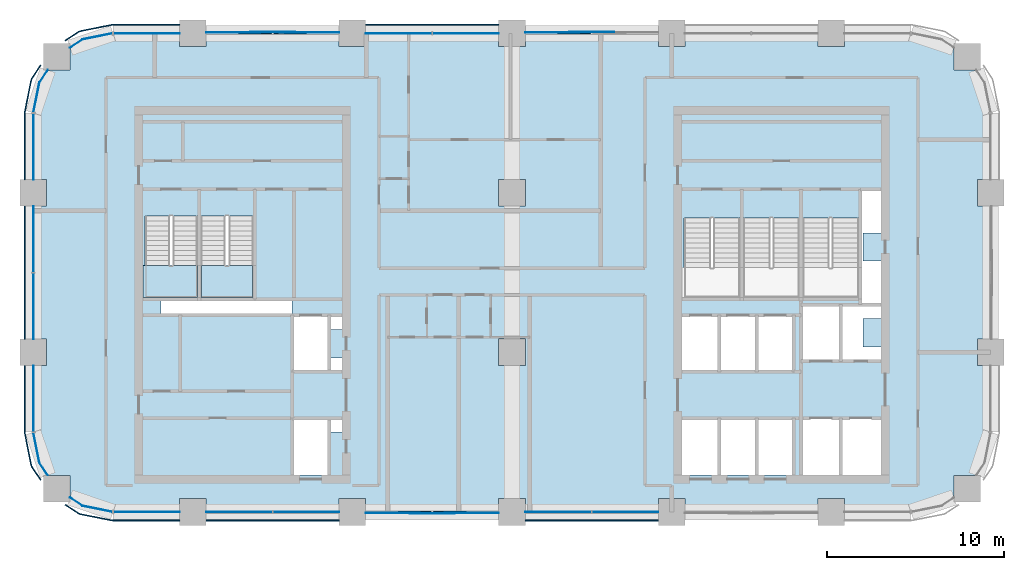
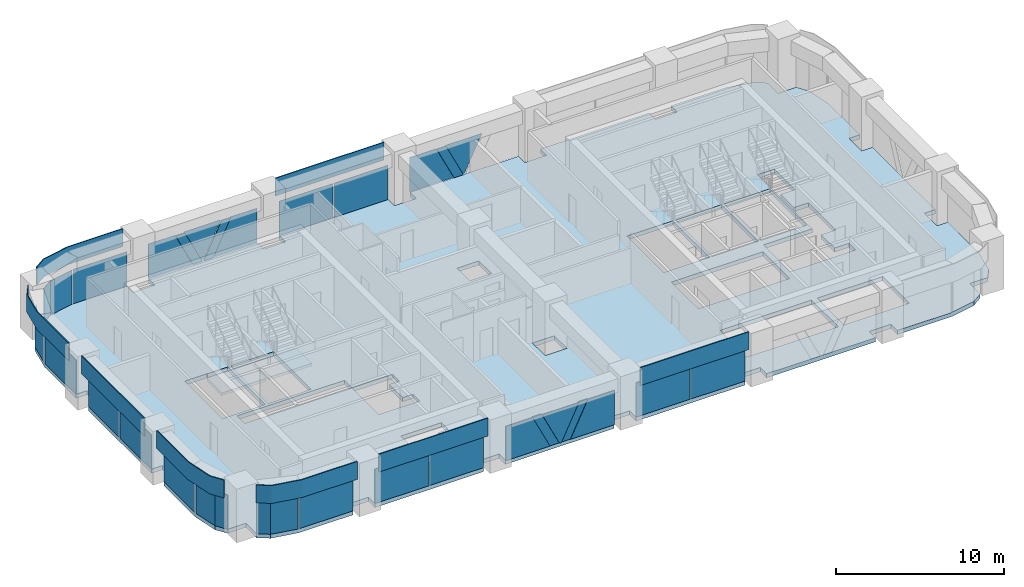
# One storey, part 7 of 14: 37 plates, 3 slabs, 13 elements without a shape of their own.
"""IFC4 building model written with IfcOpenShell, lengths in metres."""

import ifcopenshell
import ifcopenshell.guid

model = None  # the IFC model being written
_history = None  # IfcOwnerHistory: only IFC2X3 demands one
_inside = {}  # id of a spatial element -> (the spatial element, [elements in it])
_under = {}  # id of a project, library or spatial element -> (it, [spatial elements below it])
_declared = {}  # id of a project -> (the project, [libraries it declares])
_typed = {}  # id of a type object -> (the type object, [elements of that type])
_made_of = {}  # id of a material, layer set ... -> (it, [elements and type objects made of it])


def new_model(schema):
    """Start an empty IFC model of exactly this schema.

    Asked for "IFC4X3", IfcOpenShell would pick the latest addendum, in which some entities
    have other attributes; the version numbers below select the first issue.
    IFC2X3 requires an IfcOwnerHistory on every rooted entity: one is made here for all.
    """
    global model, _history
    if schema == "IFC4X3":
        model = ifcopenshell.file(schema_version=(4, 3, 0, 0))
    else:
        model = ifcopenshell.file(schema=schema)
    _inside.clear()
    _under.clear()
    _declared.clear()
    _typed.clear()
    _made_of.clear()
    _history = None
    if model.schema == "IFC2X3":
        org = make("IfcOrganization", Name="unknown")
        user = make(
            "IfcPersonAndOrganization",
            ThePerson=make("IfcPerson", FamilyName="unknown"),
            TheOrganization=org,
        )
        app = make(
            "IfcApplication",
            ApplicationDeveloper=org,
            Version="unknown",
            ApplicationFullName="unknown",
            ApplicationIdentifier="unknown",
        )
        _history = make(
            "IfcOwnerHistory",
            OwningUser=user,
            OwningApplication=app,
            ChangeAction="ADDED",
            CreationDate=0,
        )
    return model


def make(cls, **values):
    """One entity of the class cls with the attributes given. An attribute that is None is left unset."""
    return model.create_entity(
        cls, **{name: value for name, value in values.items() if value is not None}
    )


def rooted(cls, **values):
    """An entity with a GlobalId (a new one), such as an element, a storey or a relation."""
    return make(cls, GlobalId=ifcopenshell.guid.new(), OwnerHistory=_history, **values)


def si_unit(unit_type, name, prefix=None):
    """IfcSIUnit, for example si_unit("LENGTHUNIT", "METRE", prefix="MILLI")."""
    return make("IfcSIUnit", UnitType=unit_type, Prefix=prefix, Name=name)


def assignment(units):
    """IfcUnitAssignment: the units of a project."""
    return None if units is None else make("IfcUnitAssignment", Units=units)


def point(xyz):
    """IfcCartesianPoint."""
    return None if xyz is None else make("IfcCartesianPoint", Coordinates=xyz)


def direction(xyz):
    """IfcDirection."""
    return None if xyz is None else make("IfcDirection", DirectionRatios=xyz)


def frame(location, z_axis=None, x_axis=None):
    """IfcAxis2Placement3D, a coordinate frame: its origin and axes. An axis left out is left unset."""
    return make(
        "IfcAxis2Placement3D",
        Location=point(location),
        Axis=direction(z_axis),
        RefDirection=direction(x_axis),
    )


def frame_2d(location, x_axis=None):
    """IfcAxis2Placement2D, a coordinate frame in the plane: its origin and x axis."""
    return make(
        "IfcAxis2Placement2D", Location=point(location), RefDirection=direction(x_axis)
    )


def origin():
    """The frame at (0, 0, 0) with its axes left unset."""
    return frame((0.0, 0.0, 0.0))


def origin_2d():
    """The frame at (0, 0) in the plane with its x axis left unset."""
    return frame_2d((0.0, 0.0))


def place(relative_to, where):
    """IfcLocalPlacement: puts the frame where relative to a parent placement (None: the world)."""
    return make(
        "IfcLocalPlacement", PlacementRelTo=relative_to, RelativePlacement=where
    )


def context(
    kind, dimensions, precision=None, world=None, true_north=None, identifier=None
):
    """IfcGeometricRepresentationContext, for example the 3D "Model" context."""
    return make(
        "IfcGeometricRepresentationContext",
        ContextIdentifier=identifier,
        ContextType=kind,
        CoordinateSpaceDimension=dimensions,
        Precision=precision,
        WorldCoordinateSystem=world,
        TrueNorth=true_north,
    )


def subcontext(parent, identifier, kind, view, scale=None):
    """IfcGeometricRepresentationSubContext, for example "Body" below "Model"."""
    return make(
        "IfcGeometricRepresentationSubContext",
        ContextIdentifier=identifier,
        ContextType=kind,
        ParentContext=parent,
        TargetScale=scale,
        TargetView=view,
    )


def project(units=None, contexts=None):
    """IfcProject with its units and contexts."""
    return rooted(
        "IfcProject",
        Name="project",
        RepresentationContexts=contexts,
        UnitsInContext=assignment(units),
    )


def spatial(cls, under=None, at=None, **own):
    """A site, building, storey or space (cls), placed at a placement, below another one or the project."""
    s = rooted(cls, ObjectPlacement=at, **own)
    if under is not None:
        _under.setdefault(under.id(), (under, []))[1].append(s)
    return s


def polyline(points):
    """IfcPolyline through the points."""
    return make("IfcPolyline", Points=[point(p) for p in points])


def profile(cls, at=None, kind="AREA", **sizes):
    """A parametric profile (cls). Its sizes go by their IFC names, for example OverallWidth=200.0."""
    return make(cls, ProfileType=kind, Position=at, **sizes)


def rectangle(**sizes):
    """IfcRectangleProfileDef."""
    return profile("IfcRectangleProfileDef", **sizes)


def outline(outer, holes=None, kind="AREA"):
    """IfcArbitraryClosedProfileDef: a profile drawn as a closed curve; with holes, ...WithVoids."""
    if holes is None:
        return make("IfcArbitraryClosedProfileDef", ProfileType=kind, OuterCurve=outer)
    return make(
        "IfcArbitraryProfileDefWithVoids",
        ProfileType=kind,
        OuterCurve=outer,
        InnerCurves=holes,
    )


def extrude(swept, where, along, depth):
    """IfcExtrudedAreaSolid: the profile swept, set in the frame where, extruded along a direction by depth."""
    return make(
        "IfcExtrudedAreaSolid",
        SweptArea=swept,
        Position=where,
        ExtrudedDirection=direction(along),
        Depth=depth,
    )


def shape(context_of_items, identifier, shape_type, items):
    """IfcShapeRepresentation: the items that make up one representation, for example the "Body"."""
    return make(
        "IfcShapeRepresentation",
        ContextOfItems=context_of_items,
        RepresentationIdentifier=identifier,
        RepresentationType=shape_type,
        Items=items,
    )


def material(Name=None, Category=None):
    """IfcMaterial."""
    return make("IfcMaterial", Name=Name, Category=Category)


def layer(
    of_material, thickness, ventilated=None, Name=None, Category=None, Priority=None
):
    """IfcMaterialLayer: one layer of a wall or slab, of a material (None: an air gap)."""
    return make(
        "IfcMaterialLayer",
        Material=of_material,
        LayerThickness=thickness,
        IsVentilated=ventilated,
        Name=Name,
        Category=Category,
        Priority=Priority,
    )


def layer_set(layers, Name=None):
    """IfcMaterialLayerSet."""
    return make("IfcMaterialLayerSet", MaterialLayers=layers, LayerSetName=Name)


def made_of(thing, what):
    """Note that an element or type object is made of a material, layer set ...; save() writes the relation."""
    if what is not None:
        _made_of.setdefault(what.id(), (what, []))[1].append(thing)
    return thing


def type_object(cls, material=None, **own):
    """A type object (cls), such as IfcWallType, which elements share."""
    return made_of(rooted(cls, **own), material)


def element(
    cls,
    number,
    at=None,
    inside=None,
    cuts=None,
    type_object=None,
    material=None,
    context=None,
    identifier="Body",
    shape_type=None,
    held_by="IfcProductDefinitionShape",
    body=None,
    shapes=None,
    **own,
):
    """One element of the class cls, such as IfcWall. Its Tag is "e" and its number.

    at: its placement. inside: the storey or other place that contains it. cuts: it is an
    opening in that element (IfcRelVoidsElement). A single representation is given by context,
    identifier, shape_type and body (its items); several are given by shapes. held_by: the class
    of the entity that holds the representations. save() writes the other relations.
    """
    e = rooted(cls, Tag="e%d" % number, ObjectPlacement=at, **own)
    if body is not None:
        shapes = [shape(context, identifier, shape_type, body)]
    if shapes is not None:
        e.Representation = make(held_by, Representations=shapes)
    if inside is not None:
        _inside.setdefault(inside.id(), (inside, []))[1].append(e)
    if cuts is not None:
        rooted(
            "IfcRelVoidsElement", RelatingBuildingElement=cuts, RelatedOpeningElement=e
        )
    if type_object is not None:
        _typed.setdefault(type_object.id(), (type_object, []))[1].append(e)
    return made_of(e, material)


def aggregate(whole, parts):
    """IfcRelAggregates: a whole, such as a stair, and the parts it consists of."""
    return rooted("IfcRelAggregates", RelatingObject=whole, RelatedObjects=parts)


def save(model, path):
    """Write the relations noted so far, then the file.

    IfcRelAggregates (storeys below a building ...), IfcRelContainedInSpatialStructure (elements
    in a storey), IfcRelDefinesByType, IfcRelAssociatesMaterial and IfcRelDeclares: one each for
    every whole, place, type object, material and project.
    """
    for whole, parts in _under.values():
        aggregate(whole, parts)
    for where, things in _inside.values():
        rooted(
            "IfcRelContainedInSpatialStructure",
            RelatedElements=things,
            RelatingStructure=where,
        )
    for kind, things in _typed.values():
        rooted("IfcRelDefinesByType", RelatedObjects=things, RelatingType=kind)
    for what, things in _made_of.values():
        rooted("IfcRelAssociatesMaterial", RelatedObjects=things, RelatingMaterial=what)
    for by, libraries in _declared.values():
        rooted("IfcRelDeclares", RelatingContext=by, RelatedDefinitions=libraries)
    model.write(path)


model = new_model("IFC4")

# Units and contexts
model_context = context("Model", 3, precision=1e-05, world=origin(), true_north=direction((0.0, 1.0)))
body_context = subcontext(model_context, "Body", "Model", "MODEL_VIEW")
ifc_project = project(units=[si_unit("LENGTHUNIT", "METRE"), si_unit("AREAUNIT", "SQUARE_METRE"), si_unit("VOLUMEUNIT", "CUBIC_METRE"), si_unit("PLANEANGLEUNIT", "RADIAN"), si_unit("MASSUNIT", "GRAM", prefix="KILO")], contexts=[model_context])

# Site, building, storey
site_placement = place(None, origin())
site = spatial("IfcSite", under=ifc_project, at=site_placement, CompositionType="ELEMENT")
building_placement = place(site_placement, origin())
building = spatial("IfcBuilding", under=site, at=building_placement, Name="Tessera Arch", CompositionType="ELEMENT")
storey_placement = place(building_placement, frame((0.0, 0.0, 173.89990234375)))
storey = spatial("IfcBuildingStorey", under=building, at=storey_placement, Name="L41", CompositionType="ELEMENT", Elevation=173.89990234375)

# Curtain wall, plates
ifc_material_1 = material(Name="CW1 curtain wall")
curtain_wall_type_1 = type_object("IfcCurtainWallType", Name="CW1 curtain wall", PredefinedType="NOTDEFINED", material=ifc_material_1)
curtain_wall_1_placement = place(storey_placement, origin())
curtain_wall_1 = element("IfcCurtainWall", 1, at=curtain_wall_1_placement, inside=storey, type_object=curtain_wall_type_1, Name="CW1 curtain wall N54.0/3 L41", PredefinedType="NOTDEFINED")
ifc_material_2 = material(Name="Clear low-e glass", Category="glass")
ifc_material_3 = material(Name="Clear low-e glass", Category="glass")
ifc_layer_1 = layer(ifc_material_3, 0.028076171875)
ifc_layer_set_1 = layer_set([ifc_layer_1], Name="CW1 glass panel")
plate_type_1 = type_object("IfcPlateType", Name="CW1 glass panel", PredefinedType="CURTAIN_PANEL", material=ifc_layer_set_1)
plate_1_placement = place(storey_placement, frame((24.389892578125, 54.0, 0.0), z_axis=(0.0, 0.0, 1.0), x_axis=(-1.0, 0.0, 0.0)))
plate_1 = element("IfcPlate", 2, at=plate_1_placement, type_object=plate_type_1, material=ifc_material_2, Name="CW1 glass panel N54.0/3 1.1.1", PredefinedType="CURTAIN_PANEL", context=body_context, shape_type="SweptSolid", body=[
    extrude(rectangle(XDim=3.719970703125, YDim=0.028076171875, at=origin_2d()), origin(), (0.0, 0.0, 1.0), 2.5),
])
plate_2_placement = place(storey_placement, frame((20.610107421875, 54.0, 0.0), z_axis=(0.0, 0.0, 1.0), x_axis=(-1.0, 0.0, 0.0)))
plate_2 = element("IfcPlate", 3, at=plate_2_placement, type_object=plate_type_1, material=ifc_material_2, Name="CW1 glass panel N54.0/3 1.2.1", PredefinedType="CURTAIN_PANEL", context=body_context, shape_type="SweptSolid", body=[
    extrude(rectangle(XDim=3.719970703125, YDim=0.028076171875, at=origin_2d()), origin(), (0.0, 0.0, 1.0), 2.5),
])

curtain_wall_2_placement = place(storey_placement, origin())
curtain_wall_2 = element("IfcCurtainWall", 4, at=curtain_wall_2_placement, inside=storey, type_object=curtain_wall_type_1, Name="CW1 curtain wall W0.27/1 L41", PredefinedType="NOTDEFINED")
plate_3_placement = place(storey_placement, frame((0.0, 42.389892578125, 0.0), z_axis=(0.0, 0.0, 1.0), x_axis=(0.0, -1.0, 0.0)))
plate_3 = element("IfcPlate", 5, at=plate_3_placement, type_object=plate_type_1, material=ifc_material_2, Name="CW1 glass panel W0.27/1 1.1.1", PredefinedType="CURTAIN_PANEL", context=body_context, shape_type="SweptSolid", body=[
    extrude(rectangle(XDim=3.719970703125, YDim=0.028076171875, at=origin_2d()), origin(), (0.0, 0.0, 1.0), 2.5),
])
plate_4_placement = place(storey_placement, frame((0.0, 38.610107421875, 0.0), z_axis=(0.0, 0.0, 1.0), x_axis=(0.0, -1.0, 0.0)))
plate_4 = element("IfcPlate", 6, at=plate_4_placement, type_object=plate_type_1, material=ifc_material_2, Name="CW1 glass panel W0.27/1 1.2.1", PredefinedType="CURTAIN_PANEL", context=body_context, shape_type="SweptSolid", body=[
    extrude(rectangle(XDim=3.719970703125, YDim=0.028076171875, at=origin_2d()), origin(), (0.0, 0.0, 1.0), 2.5),
])

curtain_wall_3_placement = place(storey_placement, origin())
curtain_wall_3 = element("IfcCurtainWall", 7, at=curtain_wall_3_placement, inside=storey, type_object=curtain_wall_type_1, Name="CW1 curtain wall S27.0/1 L41", PredefinedType="NOTDEFINED")
plate_5_placement = place(storey_placement, frame((11.610107421875, 27.0, 0.0), z_axis=(0.0, 0.0, 1.0), x_axis=(1.0, 0.0, 0.0)))
plate_5 = element("IfcPlate", 8, at=plate_5_placement, type_object=plate_type_1, material=ifc_material_2, Name="CW1 glass panel S27.0/1 1.1.1", PredefinedType="CURTAIN_PANEL", context=body_context, shape_type="SweptSolid", body=[
    extrude(rectangle(XDim=3.719970703125, YDim=0.028076171875, at=origin_2d()), origin(), (0.0, 0.0, 1.0), 2.5),
])
plate_6_placement = place(storey_placement, frame((15.389892578125, 27.0, 0.0), z_axis=(0.0, 0.0, 1.0), x_axis=(1.0, 0.0, 0.0)))
plate_6 = element("IfcPlate", 9, at=plate_6_placement, type_object=plate_type_1, material=ifc_material_2, Name="CW1 glass panel S27.0/1 1.2.1", PredefinedType="CURTAIN_PANEL", context=body_context, shape_type="SweptSolid", body=[
    extrude(rectangle(XDim=3.719970703125, YDim=0.028076171875, at=origin_2d()), origin(), (0.0, 0.0, 1.0), 2.5),
])

curtain_wall_4_placement = place(storey_placement, origin())
curtain_wall_4 = element("IfcCurtainWall", 10, at=curtain_wall_4_placement, inside=storey, type_object=curtain_wall_type_1, Name="CW1 curtain wall S27.0/3 L41", PredefinedType="NOTDEFINED")
plate_7_placement = place(storey_placement, frame((29.610107421875, 27.0, 0.0), z_axis=(0.0, 0.0, 1.0), x_axis=(1.0, 0.0, 0.0)))
plate_7 = element("IfcPlate", 11, at=plate_7_placement, type_object=plate_type_1, material=ifc_material_2, Name="CW1 glass panel S27.0/3 1.1.1", PredefinedType="CURTAIN_PANEL", context=body_context, shape_type="SweptSolid", body=[
    extrude(rectangle(XDim=3.719970703125, YDim=0.028076171875, at=origin_2d()), origin(), (0.0, 0.0, 1.0), 2.5),
])
plate_8_placement = place(storey_placement, frame((33.389892578125, 27.0, 0.0), z_axis=(0.0, 0.0, 1.0), x_axis=(1.0, 0.0, 0.0)))
plate_8 = element("IfcPlate", 12, at=plate_8_placement, type_object=plate_type_1, material=ifc_material_2, Name="CW1 glass panel S27.0/3 1.2.1", PredefinedType="CURTAIN_PANEL", context=body_context, shape_type="SweptSolid", body=[
    extrude(rectangle(XDim=3.719970703125, YDim=0.028076171875, at=origin_2d()), origin(), (0.0, 0.0, 1.0), 2.5),
])

# Plate
ifc_material_4 = material(Name="Pale anodised aluminium panel", Category="aluminium")
ifc_layer_2 = layer(ifc_material_4, 0.06005859375)
ifc_layer_set_2 = layer_set([ifc_layer_2], Name="CW1 spandrel panel")
plate_type_2 = type_object("IfcPlateType", Name="CW1 spandrel panel", PredefinedType="CURTAIN_PANEL", material=ifc_layer_set_2)
plate_9_placement = place(storey_placement, frame((22.5, 54.47998046875, 2.60009765625), z_axis=(0.0, 0.0, 1.0), x_axis=(-1.0, 0.0, 0.0)))
plate_9 = element("IfcPlate", 13, at=plate_9_placement, type_object=plate_type_2, Name="CW1 spandrel panel N54.0/3", PredefinedType="CURTAIN_PANEL", context=body_context, shape_type="SweptSolid", body=[
    extrude(rectangle(XDim=7.5, YDim=0.06005859375, at=origin_2d()), origin(), (0.0, 0.0, 1.0), 1.300048828125),
])

aggregate(curtain_wall_1, [plate_1, plate_2, plate_9])

plate_10_placement = place(storey_placement, frame((-0.47998046875, 40.5, 2.60009765625), z_axis=(0.0, 0.0, 1.0), x_axis=(0.0, -1.0, 0.0)))
plate_10 = element("IfcPlate", 14, at=plate_10_placement, type_object=plate_type_2, Name="CW1 spandrel panel W0.27/1", PredefinedType="CURTAIN_PANEL", context=body_context, shape_type="SweptSolid", body=[
    extrude(rectangle(XDim=7.5, YDim=0.06005859375, at=origin_2d()), origin(), (0.0, 0.0, 1.0), 1.300048828125),
])

aggregate(curtain_wall_2, [plate_3, plate_4, plate_10])

plate_11_placement = place(storey_placement, frame((13.5, 26.52001953125, 2.60009765625), z_axis=(0.0, 0.0, 1.0), x_axis=(1.0, 0.0, 0.0)))
plate_11 = element("IfcPlate", 15, at=plate_11_placement, type_object=plate_type_2, Name="CW1 spandrel panel S27.0/1", PredefinedType="CURTAIN_PANEL", context=body_context, shape_type="SweptSolid", body=[
    extrude(rectangle(XDim=7.5, YDim=0.06005859375, at=origin_2d()), origin(), (0.0, 0.0, 1.0), 1.300048828125),
])

aggregate(curtain_wall_3, [plate_5, plate_6, plate_11])

plate_12_placement = place(storey_placement, frame((31.5, 26.52001953125, 2.60009765625), z_axis=(0.0, 0.0, 1.0), x_axis=(1.0, 0.0, 0.0)))
plate_12 = element("IfcPlate", 16, at=plate_12_placement, type_object=plate_type_2, Name="CW1 spandrel panel S27.0/3", PredefinedType="CURTAIN_PANEL", context=body_context, shape_type="SweptSolid", body=[
    extrude(rectangle(XDim=7.5, YDim=0.06005859375, at=origin_2d()), origin(), (0.0, 0.0, 1.0), 1.300048828125),
])

aggregate(curtain_wall_4, [plate_7, plate_8, plate_12])

# Curtain wall, plates
ifc_material_5 = material(Name="CW2 curtain wall")
curtain_wall_type_2 = type_object("IfcCurtainWallType", Name="CW2 curtain wall", PredefinedType="NOTDEFINED", material=ifc_material_5)
curtain_wall_5_placement = place(storey_placement, origin())
curtain_wall_5 = element("IfcCurtainWall", 17, at=curtain_wall_5_placement, inside=storey, type_object=curtain_wall_type_2, Name="CW2 curtain wall N54.0/5 L41", PredefinedType="NOTDEFINED")
ifc_material_6 = material(Name="Clear low-e glass", Category="glass")
ifc_layer_3 = layer(ifc_material_6, 0.028076171875)
ifc_layer_set_3 = layer_set([ifc_layer_3], Name="CW2 glass panel")
plate_type_3 = type_object("IfcPlateType", Name="CW2 glass panel", PredefinedType="CURTAIN_PANEL", material=ifc_layer_set_3)
plate_13_placement = place(storey_placement, frame((6.39501953125, 54.0, 0.0), z_axis=(0.0, 0.0, 1.0), x_axis=(-1.0, 0.0, 0.0)))
plate_13 = element("IfcPlate", 18, at=plate_13_placement, type_object=plate_type_3, material=ifc_material_2, Name="CW2 glass panel N54.0/5 1.1", PredefinedType="CURTAIN_PANEL", context=body_context, shape_type="SweptSolid", body=[
    extrude(rectangle(XDim=3.7099609375, YDim=0.028076171875, at=origin_2d()), origin(), (0.0, 0.0, 1.0), 2.5),
])
plate_14_placement = place(storey_placement, origin())
plate_14 = element("IfcPlate", 19, at=plate_14_placement, type_object=plate_type_3, material=ifc_material_2, Name="CW2 curved glass panel N54.0/5 2.1", PredefinedType="CURTAIN_PANEL", context=body_context, shape_type="SweptSolid", body=[
    extrude(outline(polyline([(2.783447265625, 53.644287109375), (4.46337890625, 53.978515625), (4.4580078125, 54.005859375), (2.7724609375, 53.670654296875), (2.060302734375, 53.19482421875), (2.07568359375, 53.17138671875), (2.783447265625, 53.644287109375)])), origin(), (0.0, 0.0, 1.0), 2.5),
])

curtain_wall_6_placement = place(storey_placement, origin())
curtain_wall_6 = element("IfcCurtainWall", 20, at=curtain_wall_6_placement, inside=storey, type_object=curtain_wall_type_2, Name="CW2 curtain wall W0.27/0 L41", PredefinedType="NOTDEFINED")
plate_15_placement = place(storey_placement, frame((0.0, 47.60498046875, 0.0), z_axis=(0.0, 0.0, 1.0), x_axis=(0.0, -1.0, 0.0)))
plate_15 = element("IfcPlate", 21, at=plate_15_placement, type_object=plate_type_3, material=ifc_material_2, Name="CW2 glass panel W0.27/0 1.1", PredefinedType="CURTAIN_PANEL", context=body_context, shape_type="SweptSolid", body=[
    extrude(rectangle(XDim=3.7099609375, YDim=0.028076171875, at=origin_2d()), origin(), (0.0, 0.0, 1.0), 2.5),
])
plate_16_placement = place(storey_placement, origin())
plate_16 = element("IfcPlate", 22, at=plate_16_placement, type_object=plate_type_3, material=ifc_material_2, Name="CW2 curved glass panel W0.27/0 2.1", PredefinedType="CURTAIN_PANEL", context=body_context, shape_type="SweptSolid", body=[
    extrude(outline(polyline([(0.355712890625, 51.216552734375), (0.82861328125, 51.92431640625), (0.80517578125, 51.939697265625), (0.329345703125, 51.2275390625), (-0.005859375, 49.5419921875), (0.021484375, 49.53662109375), (0.355712890625, 51.216552734375)])), origin(), (0.0, 0.0, 1.0), 2.5),
])

curtain_wall_7_placement = place(storey_placement, origin())
curtain_wall_7 = element("IfcCurtainWall", 23, at=curtain_wall_7_placement, inside=storey, type_object=curtain_wall_type_2, Name="CW2 curtain wall W0.27/2 L41", PredefinedType="NOTDEFINED")
plate_17_placement = place(storey_placement, frame((0.0, 33.39501953125, 0.0), z_axis=(0.0, 0.0, 1.0), x_axis=(0.0, -1.0, 0.0)))
plate_17 = element("IfcPlate", 24, at=plate_17_placement, type_object=plate_type_3, material=ifc_material_2, Name="CW2 glass panel W0.27/2 1.1", PredefinedType="CURTAIN_PANEL", context=body_context, shape_type="SweptSolid", body=[
    extrude(rectangle(XDim=3.7099609375, YDim=0.028076171875, at=origin_2d()), origin(), (0.0, 0.0, 1.0), 2.5),
])
plate_18_placement = place(storey_placement, origin())
plate_18 = element("IfcPlate", 25, at=plate_18_placement, type_object=plate_type_3, material=ifc_material_2, Name="CW2 curved glass panel W0.27/2 2.1", PredefinedType="CURTAIN_PANEL", context=body_context, shape_type="SweptSolid", body=[
    extrude(outline(polyline([(0.355712890625, 29.783447265625), (0.021484375, 31.46337890625), (-0.005859375, 31.4580078125), (0.329345703125, 29.7724609375), (0.80517578125, 29.060302734375), (0.82861328125, 29.07568359375), (0.355712890625, 29.783447265625)])), origin(), (0.0, 0.0, 1.0), 2.5),
])

curtain_wall_8_placement = place(storey_placement, origin())
curtain_wall_8 = element("IfcCurtainWall", 26, at=curtain_wall_8_placement, inside=storey, type_object=curtain_wall_type_2, Name="CW2 curtain wall S27.0/0 L41", PredefinedType="NOTDEFINED")
plate_19_placement = place(storey_placement, frame((6.39501953125, 27.0, 0.0), z_axis=(0.0, 0.0, 1.0), x_axis=(1.0, 0.0, 0.0)))
plate_19 = element("IfcPlate", 27, at=plate_19_placement, type_object=plate_type_3, material=ifc_material_2, Name="CW2 glass panel S27.0/0 1.1", PredefinedType="CURTAIN_PANEL", context=body_context, shape_type="SweptSolid", body=[
    extrude(rectangle(XDim=3.7099609375, YDim=0.028076171875, at=origin_2d()), origin(), (0.0, 0.0, 1.0), 2.5),
])
plate_20_placement = place(storey_placement, origin())
plate_20 = element("IfcPlate", 28, at=plate_20_placement, type_object=plate_type_3, material=ifc_material_2, Name="CW2 curved glass panel S27.0/0 2.1", PredefinedType="CURTAIN_PANEL", context=body_context, shape_type="SweptSolid", body=[
    extrude(outline(polyline([(2.783447265625, 27.355712890625), (2.07568359375, 27.82861328125), (2.060302734375, 27.80517578125), (2.7724609375, 27.329345703125), (4.4580078125, 26.994140625), (4.46337890625, 27.021484375), (2.783447265625, 27.355712890625)])), origin(), (0.0, 0.0, 1.0), 2.5),
])

# Plate
ifc_material_7 = material(Name="Pale anodised aluminium panel", Category="aluminium")
ifc_layer_4 = layer(ifc_material_7, 0.06005859375)
ifc_layer_set_4 = layer_set([ifc_layer_4], Name="CW2 spandrel panel")
plate_type_4 = type_object("IfcPlateType", Name="CW2 spandrel panel", PredefinedType="CURTAIN_PANEL", material=ifc_layer_set_4)
plate_21_placement = place(storey_placement, frame((0.0, 0.0, 2.60009765625)))
plate_21 = element("IfcPlate", 29, at=plate_21_placement, type_object=plate_type_4, Name="CW2 spandrel panel N54.0/5", PredefinedType="CURTAIN_PANEL", context=body_context, shape_type="SweptSolid", body=[
    extrude(outline(polyline([(4.500732421875, 54.449951171875), (8.25, 54.449951171875), (8.25, 54.510009765625), (4.499267578125, 54.510009765625), (4.449951171875, 54.507568359375), (4.401123046875, 54.500244140625), (2.677734375, 54.157470703125), (2.6298828125, 54.1455078125), (2.582763671875, 54.128662109375), (2.537353515625, 54.107421875), (2.4951171875, 54.08203125), (1.78466796875, 53.607177734375), (1.81787109375, 53.55712890625), (2.52734375, 54.03125), (2.565673828125, 54.054443359375), (2.605712890625, 54.0732421875), (2.647216796875, 54.088134765625), (2.69091796875, 54.09912109375), (4.411376953125, 54.441162109375), (4.455810546875, 54.44775390625), (4.500732421875, 54.449951171875)])), origin(), (0.0, 0.0, 1.0), 1.300048828125),
])

aggregate(curtain_wall_5, [plate_13, plate_14, plate_21])

plate_22_placement = place(storey_placement, frame((0.0, 0.0, 2.60009765625)))
plate_22 = element("IfcPlate", 30, at=plate_22_placement, type_object=plate_type_4, Name="CW2 spandrel panel W0.27/0", PredefinedType="CURTAIN_PANEL", context=body_context, shape_type="SweptSolid", body=[
    extrude(outline(polyline([(-0.03125, 51.47265625), (0.44287109375, 52.18212890625), (0.392822265625, 52.21533203125), (-0.08203125, 51.5048828125), (-0.107421875, 51.462646484375), (-0.128662109375, 51.417236328125), (-0.1455078125, 51.3701171875), (-0.157470703125, 51.322265625), (-0.500244140625, 49.598876953125), (-0.507568359375, 49.550048828125), (-0.510009765625, 49.500732421875), (-0.510009765625, 45.75), (-0.449951171875, 45.75), (-0.449951171875, 49.499267578125), (-0.44775390625, 49.544189453125), (-0.441162109375, 49.588623046875), (-0.09912109375, 51.30908203125), (-0.088134765625, 51.352783203125), (-0.0732421875, 51.394287109375), (-0.054443359375, 51.434326171875), (-0.03125, 51.47265625)])), origin(), (0.0, 0.0, 1.0), 1.300048828125),
])

aggregate(curtain_wall_6, [plate_15, plate_16, plate_22])

plate_23_placement = place(storey_placement, frame((0.0, 0.0, 2.60009765625)))
plate_23 = element("IfcPlate", 31, at=plate_23_placement, type_object=plate_type_4, Name="CW2 spandrel panel W0.27/2", PredefinedType="CURTAIN_PANEL", context=body_context, shape_type="SweptSolid", body=[
    extrude(outline(polyline([(-0.449951171875, 31.500732421875), (-0.449951171875, 35.25), (-0.510009765625, 35.25), (-0.510009765625, 31.499267578125), (-0.507568359375, 31.449951171875), (-0.500244140625, 31.401123046875), (-0.157470703125, 29.677734375), (-0.1455078125, 29.6298828125), (-0.128662109375, 29.582763671875), (-0.107421875, 29.537353515625), (-0.08203125, 29.4951171875), (0.392822265625, 28.78466796875), (0.44287109375, 28.81787109375), (-0.03125, 29.52734375), (-0.054443359375, 29.565673828125), (-0.0732421875, 29.605712890625), (-0.088134765625, 29.647216796875), (-0.09912109375, 29.69091796875), (-0.441162109375, 31.411376953125), (-0.44775390625, 31.455810546875), (-0.449951171875, 31.500732421875)])), origin(), (0.0, 0.0, 1.0), 1.300048828125),
])

aggregate(curtain_wall_7, [plate_17, plate_18, plate_23])

plate_24_placement = place(storey_placement, frame((0.0, 0.0, 2.60009765625)))
plate_24 = element("IfcPlate", 32, at=plate_24_placement, type_object=plate_type_4, Name="CW2 spandrel panel S27.0/0", PredefinedType="CURTAIN_PANEL", context=body_context, shape_type="SweptSolid", body=[
    extrude(outline(polyline([(2.52734375, 26.96875), (1.81787109375, 27.44287109375), (1.78466796875, 27.392822265625), (2.4951171875, 26.91796875), (2.537353515625, 26.892578125), (2.582763671875, 26.871337890625), (2.6298828125, 26.8544921875), (2.677734375, 26.842529296875), (4.401123046875, 26.499755859375), (4.449951171875, 26.492431640625), (4.499267578125, 26.489990234375), (8.25, 26.489990234375), (8.25, 26.550048828125), (4.500732421875, 26.550048828125), (4.455810546875, 26.55224609375), (4.411376953125, 26.558837890625), (2.69091796875, 26.90087890625), (2.647216796875, 26.911865234375), (2.605712890625, 26.9267578125), (2.565673828125, 26.945556640625), (2.52734375, 26.96875)])), origin(), (0.0, 0.0, 1.0), 1.300048828125),
])

aggregate(curtain_wall_8, [plate_19, plate_20, plate_24])

# Curtain wall, plate
ifc_material_8 = material(Name="CW3 curtain wall")
curtain_wall_type_3 = type_object("IfcCurtainWallType", Name="CW3 curtain wall", PredefinedType="NOTDEFINED", material=ifc_material_8)
curtain_wall_9_placement = place(storey_placement, origin())
curtain_wall_9 = element("IfcCurtainWall", 33, at=curtain_wall_9_placement, inside=storey, type_object=curtain_wall_type_3, Name="CW3 curtain wall N54.0/2 L41", PredefinedType="NOTDEFINED")
ifc_material_9 = material(Name="Pale anodised aluminium panel", Category="aluminium")
ifc_layer_5 = layer(ifc_material_9, 0.06005859375)
ifc_layer_set_5 = layer_set([ifc_layer_5], Name="CW3 diagonal panel")
plate_type_5 = type_object("IfcPlateType", Name="CW3 diagonal panel", PredefinedType="CURTAIN_PANEL", material=ifc_layer_set_5)
plate_25_placement = place(storey_placement, frame((29.59326171875, 54.030029296875, 2.5), z_axis=(0.0, 1.0, 0.0), x_axis=(1.0, 0.0, 0.0)))
plate_25 = element("IfcPlate", 34, at=plate_25_placement, type_object=plate_type_5, Name="CW3 diagonal panel N54.0/2 1", PredefinedType="CURTAIN_PANEL", context=body_context, shape_type="SweptSolid", body=[
    extrude(outline(polyline([(0.0, 0.0), (0.640380859375, 0.0), (1.84228515625, 2.5), (1.201904296875, 2.5), (0.0, 0.0)])), origin(), (0.0, 0.0, -1.0), 0.06005859375),
])

# Curtain wall, plates
curtain_wall_10_placement = place(storey_placement, origin())
curtain_wall_10 = element("IfcCurtainWall", 35, at=curtain_wall_10_placement, inside=storey, type_object=curtain_wall_type_3, Name="CW3 curtain wall N54.0/4 L41", PredefinedType="NOTDEFINED")
plate_26_placement = place(storey_placement, frame((11.59326171875, 54.030029296875, 2.5), z_axis=(0.0, 1.0, 0.0), x_axis=(1.0, 0.0, 0.0)))
plate_26 = element("IfcPlate", 36, at=plate_26_placement, type_object=plate_type_5, Name="CW3 diagonal panel N54.0/4 1", PredefinedType="CURTAIN_PANEL", context=body_context, shape_type="SweptSolid", body=[
    extrude(outline(polyline([(0.0, 0.0), (0.640380859375, 0.0), (1.84228515625, 2.5), (1.201904296875, 2.5), (0.0, 0.0)])), origin(), (0.0, 0.0, -1.0), 0.06005859375),
])
plate_27_placement = place(storey_placement, frame((14.766357421875, 54.030029296875, 2.5), z_axis=(0.0, 1.0, 0.0), x_axis=(1.0, 0.0, 0.0)))
plate_27 = element("IfcPlate", 37, at=plate_27_placement, type_object=plate_type_5, Name="CW3 diagonal panel N54.0/4 2", PredefinedType="CURTAIN_PANEL", context=body_context, shape_type="SweptSolid", body=[
    extrude(outline(polyline([(0.0, 0.0), (0.640380859375, 0.0), (-0.5615234375, 2.5), (-1.201904296875, 2.5), (0.0, 0.0)])), origin(), (0.0, 0.0, -1.0), 0.06005859375),
])

curtain_wall_11_placement = place(storey_placement, origin())
curtain_wall_11 = element("IfcCurtainWall", 38, at=curtain_wall_11_placement, inside=storey, type_object=curtain_wall_type_3, Name="CW3 curtain wall S27.0/2 L41", PredefinedType="NOTDEFINED")
plate_28_placement = place(storey_placement, frame((24.40673828125, 26.969970703125, 2.5), z_axis=(0.0, -1.0, 0.0), x_axis=(-1.0, 0.0, 0.0)))
plate_28 = element("IfcPlate", 39, at=plate_28_placement, type_object=plate_type_5, Name="CW3 diagonal panel S27.0/2 1", PredefinedType="CURTAIN_PANEL", context=body_context, shape_type="SweptSolid", body=[
    extrude(outline(polyline([(0.0, 0.0), (0.640380859375, 0.0), (1.84228515625, 2.5), (1.201904296875, 2.5), (0.0, 0.0)])), origin(), (0.0, 0.0, -1.0), 0.06005859375),
])
plate_29_placement = place(storey_placement, frame((21.233642578125, 26.969970703125, 2.5), z_axis=(0.0, -1.0, 0.0), x_axis=(-1.0, 0.0, 0.0)))
plate_29 = element("IfcPlate", 40, at=plate_29_placement, type_object=plate_type_5, Name="CW3 diagonal panel S27.0/2 2", PredefinedType="CURTAIN_PANEL", context=body_context, shape_type="SweptSolid", body=[
    extrude(outline(polyline([(0.0, 0.0), (0.640380859375, 0.0), (-0.5615234375, 2.5), (-1.201904296875, 2.5), (0.0, 0.0)])), origin(), (0.0, 0.0, -1.0), 0.06005859375),
])

# Plate
ifc_material_10 = material(Name="Clear low-e glass", Category="glass")
ifc_layer_6 = layer(ifc_material_10, 0.028076171875)
ifc_layer_set_6 = layer_set([ifc_layer_6], Name="CW3 glass panel")
plate_type_6 = type_object("IfcPlateType", Name="CW3 glass panel", PredefinedType="CURTAIN_PANEL", material=ifc_layer_set_6)
plate_30_placement = place(storey_placement, frame((30.233642578125, 54.0859375, 2.5), z_axis=(0.0, 1.0, 0.0), x_axis=(1.0, 0.0, 0.0)))
plate_30 = element("IfcPlate", 41, at=plate_30_placement, type_object=plate_type_6, material=ifc_material_2, Name="CW3 triangulated glass panel N54.0/2 2", PredefinedType="CURTAIN_PANEL", context=body_context, shape_type="SweptSolid", body=[
    extrude(outline(polyline([(0.0, 0.0), (2.53271484375, 0.0), (1.330810546875, 2.5), (1.201904296875, 2.5), (0.0, 0.0)])), origin(), (0.0, 0.0, -1.0), 0.028076171875),
])

plate_31_placement = place(storey_placement, frame((27.75, 54.05810546875, 2.5), z_axis=(0.0, 1.0, 0.0), x_axis=(1.0, 0.0, 0.0)))
plate_31 = element("IfcPlate", 42, at=plate_31_placement, type_object=plate_type_6, material=ifc_material_2, Name="CW3 triangulated glass panel N54.0/2 3", PredefinedType="CURTAIN_PANEL", context=body_context, shape_type="SweptSolid", body=[
    extrude(outline(polyline([(0.0, 0.0), (1.84326171875, 0.0), (3.045166015625, 2.5), (0.0, 2.5), (0.0, 0.0)])), origin(), (0.0, 0.0, -1.0), 0.028076171875),
])

aggregate(curtain_wall_9, [plate_30, plate_31, plate_25])

plate_32_placement = place(storey_placement, frame((17.25, 54.05810546875, 0.0), z_axis=(0.0, 1.0, 0.0), x_axis=(-1.0, 0.0, 0.0)))
plate_32 = element("IfcPlate", 43, at=plate_32_placement, type_object=plate_type_6, material=ifc_material_2, Name="CW3 triangulated glass panel N54.0/4 1", PredefinedType="CURTAIN_PANEL", context=body_context, shape_type="SweptSolid", body=[
    extrude(outline(polyline([(0.0, 0.0), (3.045166015625, 0.0), (1.84326171875, 2.5), (0.0, 2.5), (0.0, 0.0)])), origin(), (0.0, 0.0, -1.0), 0.028076171875),
])

plate_33_placement = place(storey_placement, frame((12.233642578125, 54.0859375, 2.5), z_axis=(0.0, 1.0, 0.0), x_axis=(1.0, 0.0, 0.0)))
plate_33 = element("IfcPlate", 44, at=plate_33_placement, type_object=plate_type_6, material=ifc_material_2, Name="CW3 triangulated glass panel N54.0/4 2", PredefinedType="CURTAIN_PANEL", context=body_context, shape_type="SweptSolid", body=[
    extrude(outline(polyline([(0.0, 0.0), (2.53271484375, 0.0), (1.330810546875, 2.5), (1.201904296875, 2.5), (0.0, 0.0)])), origin(), (0.0, 0.0, -1.0), 0.028076171875),
])

plate_34_placement = place(storey_placement, frame((9.75, 54.05810546875, 2.5), z_axis=(0.0, 1.0, 0.0), x_axis=(1.0, 0.0, 0.0)))
plate_34 = element("IfcPlate", 45, at=plate_34_placement, type_object=plate_type_6, material=ifc_material_2, Name="CW3 triangulated glass panel N54.0/4 3", PredefinedType="CURTAIN_PANEL", context=body_context, shape_type="SweptSolid", body=[
    extrude(outline(polyline([(0.0, 0.0), (1.84326171875, 0.0), (3.045166015625, 2.5), (0.0, 2.5), (0.0, 0.0)])), origin(), (0.0, 0.0, -1.0), 0.028076171875),
])

aggregate(curtain_wall_10, [plate_32, plate_33, plate_34, plate_26, plate_27])

plate_35_placement = place(storey_placement, frame((18.75, 26.94189453125, 0.0), z_axis=(0.0, -1.0, 0.0), x_axis=(1.0, 0.0, 0.0)))
plate_35 = element("IfcPlate", 46, at=plate_35_placement, type_object=plate_type_6, material=ifc_material_2, Name="CW3 triangulated glass panel S27.0/2 1", PredefinedType="CURTAIN_PANEL", context=body_context, shape_type="SweptSolid", body=[
    extrude(outline(polyline([(0.0, 0.0), (3.045166015625, 0.0), (1.84326171875, 2.5), (0.0, 2.5), (0.0, 0.0)])), origin(), (0.0, 0.0, -1.0), 0.028076171875),
])

plate_36_placement = place(storey_placement, frame((23.766357421875, 26.9140625, 2.5), z_axis=(0.0, -1.0, 0.0), x_axis=(-1.0, 0.0, 0.0)))
plate_36 = element("IfcPlate", 47, at=plate_36_placement, type_object=plate_type_6, material=ifc_material_2, Name="CW3 triangulated glass panel S27.0/2 2", PredefinedType="CURTAIN_PANEL", context=body_context, shape_type="SweptSolid", body=[
    extrude(outline(polyline([(0.0, 0.0), (2.53271484375, 0.0), (1.330810546875, 2.5), (1.201904296875, 2.5), (0.0, 0.0)])), origin(), (0.0, 0.0, -1.0), 0.028076171875),
])

plate_37_placement = place(storey_placement, frame((26.25, 26.94189453125, 2.5), z_axis=(0.0, -1.0, 0.0), x_axis=(-1.0, 0.0, 0.0)))
plate_37 = element("IfcPlate", 48, at=plate_37_placement, type_object=plate_type_6, material=ifc_material_2, Name="CW3 triangulated glass panel S27.0/2 3", PredefinedType="CURTAIN_PANEL", context=body_context, shape_type="SweptSolid", body=[
    extrude(outline(polyline([(0.0, 0.0), (1.84326171875, 0.0), (3.045166015625, 2.5), (0.0, 2.5), (0.0, 0.0)])), origin(), (0.0, 0.0, -1.0), 0.028076171875),
])

aggregate(curtain_wall_11, [plate_35, plate_36, plate_37, plate_28, plate_29])

# Slab
ifc_material_11 = material(Name="Concrete C40/50", Category="concrete")
ifc_layer_7 = layer(ifc_material_11, 0.300048828125)
ifc_layer_set_7 = layer_set([ifc_layer_7], Name="Floor slab 300 Concrete C40/50")
slab_type_1 = type_object("IfcSlabType", Name="Floor slab 300 Concrete C40/50", PredefinedType="FLOOR", material=ifc_layer_set_7)
slab_1_placement = place(storey_placement, frame((0.0, 0.0, -0.2998046875)))
element("IfcSlab", 49, at=slab_1_placement, inside=storey, type_object=slab_type_1, Name="Floor slab L41 1", PredefinedType="FLOOR", context=body_context, shape_type="SweptSolid", body=[
    extrude(outline(polyline([(54.0, 31.5), (53.657470703125, 29.77783203125), (53.18310546875, 29.068115234375), (51.931884765625, 29.068115234375), (51.931884765625, 27.81689453125), (51.22216796875, 27.342529296875), (49.5, 27.0), (45.75, 27.0), (45.75, 27.75), (44.25, 27.75), (44.25, 27.0), (36.75, 27.0), (36.75, 27.75), (35.25, 27.75), (35.25, 27.0), (27.75, 27.0), (27.75, 27.75), (26.25, 27.75), (26.25, 27.0), (18.75, 27.0), (18.75, 27.75), (17.25, 27.75), (17.25, 27.0), (9.75, 27.0), (9.75, 27.75), (8.25, 27.75), (8.25, 27.0), (4.5, 27.0), (2.77783203125, 27.342529296875), (2.068115234375, 27.81689453125), (2.068115234375, 29.068115234375), (0.81689453125, 29.068115234375), (0.342529296875, 29.77783203125), (0.0, 31.5), (0.0, 35.25), (0.75, 35.25), (0.75, 36.75), (0.0, 36.75), (0.0, 44.25), (0.75, 44.25), (0.75, 45.75), (0.0, 45.75), (0.0, 49.5), (0.342529296875, 51.22216796875), (0.81689453125, 51.931884765625), (2.068115234375, 51.931884765625), (2.068115234375, 53.18310546875), (2.77783203125, 53.657470703125), (4.5, 54.0), (8.25, 54.0), (8.25, 53.25), (9.75, 53.25), (9.75, 54.0), (17.25, 54.0), (17.25, 53.25), (18.75, 53.25), (18.75, 54.0), (26.25, 54.0), (26.25, 53.25), (27.75, 53.25), (27.75, 54.0), (35.25, 54.0), (35.25, 53.25), (36.75, 53.25), (36.75, 54.0), (44.25, 54.0), (44.25, 53.25), (45.75, 53.25), (45.75, 54.0), (49.5, 54.0), (51.22216796875, 53.657470703125), (51.931884765625, 53.18310546875), (51.931884765625, 51.931884765625), (53.18310546875, 51.931884765625), (53.657470703125, 51.22216796875), (54.0, 49.5), (54.0, 45.75), (53.25, 45.75), (53.25, 44.25), (54.0, 44.25), (54.0, 36.75), (53.25, 36.75), (53.25, 35.25), (54.0, 35.25), (54.0, 31.5)]), holes=[polyline([(14.60009765625, 29.10009765625), (16.699951171875, 29.10009765625), (16.699951171875, 31.5), (17.39990234375, 31.5), (17.39990234375, 32.300048828125), (16.699951171875, 32.300048828125), (14.60009765625, 32.300048828125), (14.60009765625, 29.10009765625)]), polyline([(26.25, 36.75), (26.25, 35.25), (27.75, 35.25), (27.75, 36.75), (26.25, 36.75)]), polyline([(17.39990234375, 37.300048828125), (17.39990234375, 38.10009765625), (16.699951171875, 38.10009765625), (14.60498046875, 38.10009765625), (14.60498046875, 38.10498046875), (14.60009765625, 38.10498046875), (14.60009765625, 39.0), (7.199951171875, 39.0), (7.199951171875, 38.10009765625), (14.594970703125, 38.10009765625), (14.594970703125, 38.094970703125), (14.60009765625, 38.094970703125), (14.60009765625, 34.89990234375), (16.699951171875, 34.89990234375), (17.39990234375, 34.89990234375), (17.39990234375, 35.699951171875), (16.699951171875, 35.699951171875), (16.699951171875, 37.300048828125), (17.39990234375, 37.300048828125)]), polyline([(6.300048828125, 43.68994140625), (6.300048828125, 39.199951171875), (9.25, 39.199951171875), (9.25, 43.68994140625), (7.85009765625, 43.68994140625), (7.85009765625, 43.699951171875), (7.699951171875, 43.699951171875), (7.699951171875, 43.68994140625), (6.300048828125, 43.68994140625)]), polyline([(9.449951171875, 39.199951171875), (12.39990234375, 39.199951171875), (12.39990234375, 43.68994140625), (11.0, 43.68994140625), (11.0, 43.699951171875), (10.85009765625, 43.699951171875), (10.85009765625, 43.68994140625), (9.449951171875, 43.68994140625), (9.449951171875, 39.199951171875)]), polyline([(38.699951171875, 29.10009765625), (40.800048828125, 29.10009765625), (42.89990234375, 29.10009765625), (42.89990234375, 32.300048828125), (40.800048828125, 32.300048828125), (38.699951171875, 32.300048828125), (36.60009765625, 32.300048828125), (36.60009765625, 29.10009765625), (38.699951171875, 29.10009765625)]), polyline([(45.550048828125, 32.300048828125), (43.300048828125, 32.300048828125), (43.300048828125, 29.10009765625), (45.550048828125, 29.10009765625), (47.800048828125, 29.10009765625), (47.800048828125, 32.300048828125), (45.550048828125, 32.300048828125)]), polyline([(40.800048828125, 34.89990234375), (42.89990234375, 34.89990234375), (42.89990234375, 38.10009765625), (40.800048828125, 38.10009765625), (38.699951171875, 38.10009765625), (36.60009765625, 38.10009765625), (36.60009765625, 34.89990234375), (38.699951171875, 34.89990234375), (40.800048828125, 34.89990234375)]), polyline([(47.800048828125, 42.75), (47.800048828125, 45.199951171875), (46.64990234375, 45.199951171875), (46.64990234375, 38.699951171875), (45.550048828125, 38.699951171875), (43.300048828125, 38.699951171875), (43.300048828125, 35.5), (45.550048828125, 35.5), (47.800048828125, 35.5), (47.800048828125, 36.300048828125), (46.800048828125, 36.300048828125), (46.800048828125, 37.89990234375), (47.800048828125, 37.89990234375), (47.800048828125, 38.699951171875), (47.800048828125, 41.14990234375), (46.800048828125, 41.14990234375), (46.800048828125, 42.75), (47.800048828125, 42.75)]), polyline([(36.699951171875, 39.199951171875), (39.85009765625, 39.199951171875), (39.85009765625, 43.570068359375), (38.330078125, 43.570068359375), (38.330078125, 43.580078125), (38.219970703125, 43.580078125), (38.219970703125, 43.570068359375), (36.699951171875, 43.570068359375), (36.699951171875, 39.199951171875)]), polyline([(40.050048828125, 39.199951171875), (43.199951171875, 39.199951171875), (43.199951171875, 43.570068359375), (41.679931640625, 43.570068359375), (41.679931640625, 43.580078125), (41.570068359375, 43.580078125), (41.570068359375, 43.570068359375), (40.050048828125, 43.570068359375), (40.050048828125, 39.199951171875)]), polyline([(43.39990234375, 43.570068359375), (43.39990234375, 39.199951171875), (46.550048828125, 39.199951171875), (46.550048828125, 43.570068359375), (45.030029296875, 43.570068359375), (45.030029296875, 43.580078125), (44.919921875, 43.580078125), (44.919921875, 43.570068359375), (43.39990234375, 43.570068359375)]), polyline([(26.25, 45.75), (26.25, 44.25), (27.75, 44.25), (27.75, 45.75), (26.25, 45.75)])]), origin(), (0.0, 0.0, 1.0), 0.2998046875),
])

# Stair, slab
ifc_material_12 = material(Name="Concrete C40/50", Category="concrete")
stair_type = type_object("IfcStairType", Name="Dogleg stair 1400", PredefinedType="HALF_TURN_STAIR", material=ifc_material_12)
stair_1_placement = place(storey_placement, origin())
stair_1 = element("IfcStair", 50, at=stair_1_placement, inside=storey, type_object=stair_type, Name="L41 S2a", PredefinedType="HALF_TURN_STAIR")
ifc_material_13 = material(Name="Concrete C40/50", Category="concrete")
ifc_layer_8 = layer(ifc_material_13, 0.300048828125)
ifc_layer_set_8 = layer_set([ifc_layer_8], Name="Stair landing 300")
slab_type_2 = type_object("IfcSlabType", Name="Stair landing 300", PredefinedType="LANDING", material=ifc_layer_set_8)
slab_2_placement = place(storey_placement, frame((0.0, 0.0, 1.75)))
slab_2 = element("IfcSlab", 51, at=slab_2_placement, type_object=slab_type_2, Name="S2a landing 1", PredefinedType="LANDING", context=body_context, shape_type="SweptSolid", body=[
    extrude(outline(polyline([(6.199951171875, 40.89990234375), (6.199951171875, 39.10009765625), (9.25, 39.10009765625), (9.25, 40.89990234375), (6.199951171875, 40.89990234375)])), origin(), (0.0, 0.0, 1.0), 0.2001953125),
])
aggregate(stair_1, [slab_2])

stair_2_placement = place(storey_placement, origin())
stair_2 = element("IfcStair", 52, at=stair_2_placement, inside=storey, type_object=stair_type, Name="L41 S2b", PredefinedType="HALF_TURN_STAIR")
slab_3_placement = place(storey_placement, frame((0.0, 0.0, 1.75)))
slab_3 = element("IfcSlab", 53, at=slab_3_placement, type_object=slab_type_2, Name="S2b landing 1", PredefinedType="LANDING", context=body_context, shape_type="SweptSolid", body=[
    extrude(outline(polyline([(9.449951171875, 40.89990234375), (9.449951171875, 39.10009765625), (12.39990234375, 39.10009765625), (12.39990234375, 40.89990234375), (9.449951171875, 40.89990234375)])), origin(), (0.0, 0.0, 1.0), 0.2001953125),
])
aggregate(stair_2, [slab_3])

save(model, "model.ifc")
